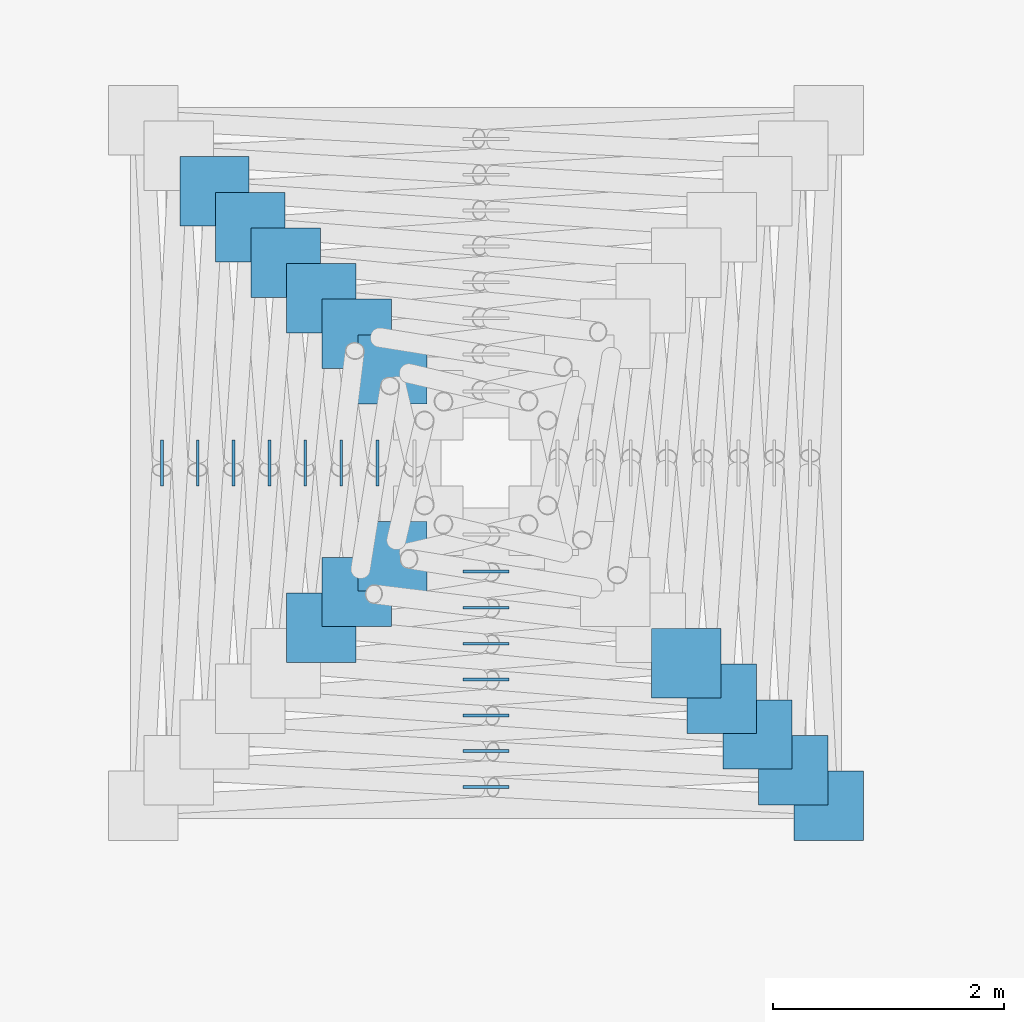
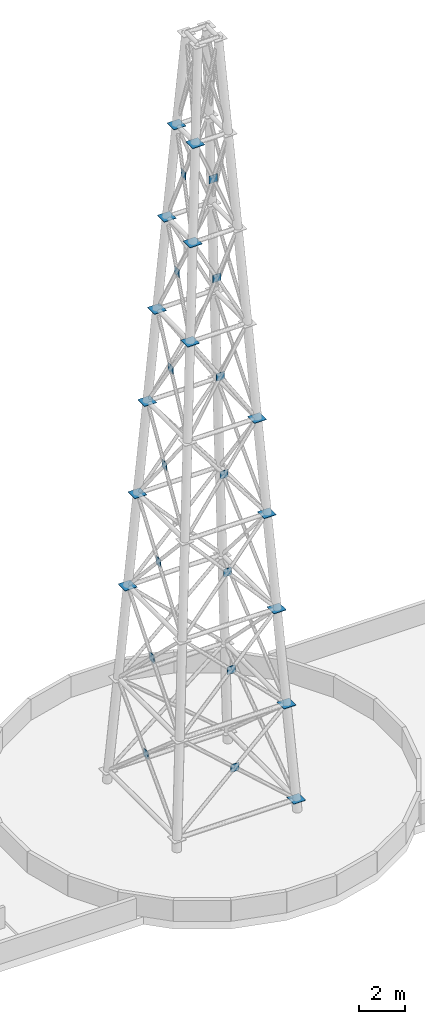
# One storey, part 4 of 6: 28 discrete accessories.
"""IFC4 building model written with IfcOpenShell, lengths in metres."""

from ifc_helpers import new_model, si_unit, direction, frame, origin, origin_2d, place, context, subcontext, project, spatial, rectangle, extrude, source, transform, mapped, material, layer, layer_set, type_object, element, save


model = new_model("IFC4")

# Units and contexts
model_context = context("Model", 3, precision=1e-05, world=origin(), true_north=direction((0.0, 1.0)))
body_context = subcontext(model_context, "Body", "Model", "MODEL_VIEW")
ifc_project = project(units=[si_unit("LENGTHUNIT", "METRE"), si_unit("AREAUNIT", "SQUARE_METRE"), si_unit("VOLUMEUNIT", "CUBIC_METRE"), si_unit("PLANEANGLEUNIT", "RADIAN"), si_unit("MASSUNIT", "GRAM", prefix="KILO")], contexts=[model_context])

# Site, building, storey
site_placement = place(None, origin())
site = spatial("IfcSite", under=ifc_project, at=site_placement, CompositionType="ELEMENT")
building_placement = place(site_placement, origin())
building = spatial("IfcBuilding", under=site, at=building_placement, Name="Kilnfold Tower and Market Hall", CompositionType="ELEMENT")
storey_placement = place(building_placement, frame((0.0, 0.0, 328.800048828125)))
storey = spatial("IfcBuildingStorey", under=building, at=storey_placement, Name="ROOF", CompositionType="ELEMENT", Elevation=328.800048828125)

# Discrete accessories
ifc_material_1 = material(Name="Steel S355", Category="steel")
ifc_layer_1 = layer(ifc_material_1, 0.02490234375)
ifc_layer_set_1 = layer_set([ifc_layer_1], Name="Steel S355")
discrete_accessory_type_1 = type_object("IfcDiscreteAccessoryType", Name="MAST CROSSING PLATE 400X25", PredefinedType="BRACKET", material=ifc_layer_set_1)
shared_shape_1 = source(origin(), body_context, "Body", "SweptSolid", [
    extrude(rectangle(XDim=0.39990234375, YDim=0.02490234375, at=origin_2d()), origin(), (0.0, 0.0, 1.0), 0.39990234375),
])
for number, where, z_axis, x_axis, name in (
    (1, (1.0, 12.19970703125, 2.997314453125), (0.0, 0.0, 1.0), (1.0, 0.0, 0.0), "Crossing plate XP1 1.1"),
    (2, (1.0, 12.5087890625, 7.939208984375), (0.0, 0.0, 1.0), (1.0, 0.0, 0.0), "Crossing plate XP1 2.1"),
    (3, (1.0, 12.81787109375, 12.88525390625), (0.0, 0.0, 1.0), (1.0, 0.0, 0.0), "Crossing plate XP1 3.1"),
    (4, (1.0, 13.12744140625, 17.83837890625), (0.0, 0.0, 1.0), (1.0, 0.0, 0.0), "Crossing plate XP1 4.1"),
    (5, (1.0, 13.437744140625, 22.802734375), (0.0, 0.0, 1.0), (1.0, 0.0, 0.0), "Crossing plate XP1 5.1"),
    (6, (1.0, 13.7490234375, 27.785888671875), (0.0, 0.0, 1.0), (1.0, 0.0, 0.0), "Crossing plate XP1 6.1"),
    (7, (1.0, 14.06298828125, 32.806640625), (0.0, 0.0, 1.0), (1.0, 0.0, 0.0), "Crossing plate XP1 7.1"),
):
    element("IfcDiscreteAccessory", number, at=place(storey_placement, frame(where, z_axis=z_axis, x_axis=x_axis)), inside=storey, type_object=discrete_accessory_type_1, Name=name, ObjectType="CROSSING", PredefinedType="BRACKET", context=body_context, shape_type="MappedRepresentation", body=[
        mapped(shared_shape_1, transform((0.0, 0.0, 0.0))),
    ])
shared_shape_2 = source(origin(), body_context, "Body", "SweptSolid", [
    extrude(rectangle(XDim=0.02490234375, YDim=0.39990234375, at=origin_2d()), origin(), (0.0, 0.0, 1.0), 0.39990234375),
])
for number, where, z_axis, x_axis, name in (
    (8, (-1.80029296875, 15.0, 2.997314453125), (0.0, 0.0, 1.0), (1.0, 0.0, 0.0), "Crossing plate XP1 1.4"),
    (9, (-1.4912109375, 15.0, 7.939208984375), (0.0, 0.0, 1.0), (1.0, 0.0, 0.0), "Crossing plate XP1 2.4"),
    (10, (-1.18212890625, 15.0, 12.88525390625), (0.0, 0.0, 1.0), (1.0, 0.0, 0.0), "Crossing plate XP1 3.4"),
    (11, (-0.87255859375, 15.0, 17.83837890625), (0.0, 0.0, 1.0), (1.0, 0.0, 0.0), "Crossing plate XP1 4.4"),
    (12, (-0.562255859375, 15.0, 22.802734375), (0.0, 0.0, 1.0), (1.0, 0.0, 0.0), "Crossing plate XP1 5.4"),
    (13, (-0.2509765625, 15.0, 27.785888671875), (0.0, 0.0, 1.0), (1.0, 0.0, 0.0), "Crossing plate XP1 6.4"),
    (14, (0.06298828125, 15.0, 32.806640625), (0.0, 0.0, 1.0), (1.0, 0.0, 0.0), "Crossing plate XP1 7.4"),
):
    element("IfcDiscreteAccessory", number, at=place(storey_placement, frame(where, z_axis=z_axis, x_axis=x_axis)), inside=storey, type_object=discrete_accessory_type_1, Name=name, ObjectType="CROSSING", PredefinedType="BRACKET", context=body_context, shape_type="MappedRepresentation", body=[
        mapped(shared_shape_2, transform((0.0, 0.0, 0.0))),
    ])
ifc_material_2 = material(Name="Steel S355", Category="steel")
ifc_layer_2 = layer(ifc_material_2, 0.02490234375)
ifc_layer_set_2 = layer_set([ifc_layer_2], Name="Steel S355")
discrete_accessory_type_2 = type_object("IfcDiscreteAccessoryType", Name="MAST GUSSET PLATE 600X25", PredefinedType="BRACKET", material=ifc_layer_set_2)
shared_shape_3 = source(origin(), body_context, "Body", "SweptSolid", [
    extrude(rectangle(XDim=0.60009765625, YDim=0.60009765625, at=origin_2d()), origin(), (0.0, 0.0, 1.0), 0.02490234375),
])
for number, where, z_axis, x_axis, name in (
    (15, (3.96240234375, 12.03759765625, 0.58740234375), (0.0, 0.0, 1.0), (1.0, 0.0, 0.0), "Gusset plate GP1 0.2"),
    (16, (3.65478515625, 12.34521484375, 5.512451171875), (0.0, 0.0, 1.0), (1.0, 0.0, 0.0), "Gusset plate GP1 1.2"),
    (17, (3.346923828125, 12.653076171875, 10.4375), (0.0, 0.0, 1.0), (1.0, 0.0, 0.0), "Gusset plate GP1 2.2"),
    (18, (-1.346923828125, 17.346923828125, 10.4375), (0.0, 0.0, 1.0), (1.0, 0.0, 0.0), "Gusset plate GP1 2.4"),
    (19, (3.0390625, 12.9609375, 15.362548828125), (0.0, 0.0, 1.0), (1.0, 0.0, 0.0), "Gusset plate GP1 3.2"),
    (20, (-1.0390625, 17.0390625, 15.362548828125), (0.0, 0.0, 1.0), (1.0, 0.0, 0.0), "Gusset plate GP1 3.4"),
    (21, (2.731201171875, 13.268798828125, 20.28759765625), (0.0, 0.0, 1.0), (1.0, 0.0, 0.0), "Gusset plate GP1 4.2"),
    (22, (-0.731201171875, 16.731201171875, 20.28759765625), (0.0, 0.0, 1.0), (1.0, 0.0, 0.0), "Gusset plate GP1 4.4"),
    (23, (-0.42333984375, 13.57666015625, 25.21240234375), (0.0, 0.0, 1.0), (1.0, 0.0, 0.0), "Gusset plate GP1 5.1"),
    (24, (-0.42333984375, 16.42333984375, 25.21240234375), (0.0, 0.0, 1.0), (1.0, 0.0, 0.0), "Gusset plate GP1 5.4"),
    (25, (-0.115478515625, 13.884521484375, 30.137451171875), (0.0, 0.0, 1.0), (1.0, 0.0, 0.0), "Gusset plate GP1 6.1"),
    (26, (-0.115478515625, 16.115478515625, 30.137451171875), (0.0, 0.0, 1.0), (1.0, 0.0, 0.0), "Gusset plate GP1 6.4"),
    (27, (0.192138671875, 14.192138671875, 35.0625), (0.0, 0.0, 1.0), (1.0, 0.0, 0.0), "Gusset plate GP1 7.1"),
    (28, (0.192138671875, 15.807861328125, 35.0625), (0.0, 0.0, 1.0), (1.0, 0.0, 0.0), "Gusset plate GP1 7.4"),
):
    element("IfcDiscreteAccessory", number, at=place(storey_placement, frame(where, z_axis=z_axis, x_axis=x_axis)), inside=storey, type_object=discrete_accessory_type_2, Name=name, ObjectType="GUSSET", PredefinedType="BRACKET", context=body_context, shape_type="MappedRepresentation", body=[
        mapped(shared_shape_3, transform((0.0, 0.0, 0.0))),
    ])

save(model, "model.ifc")
